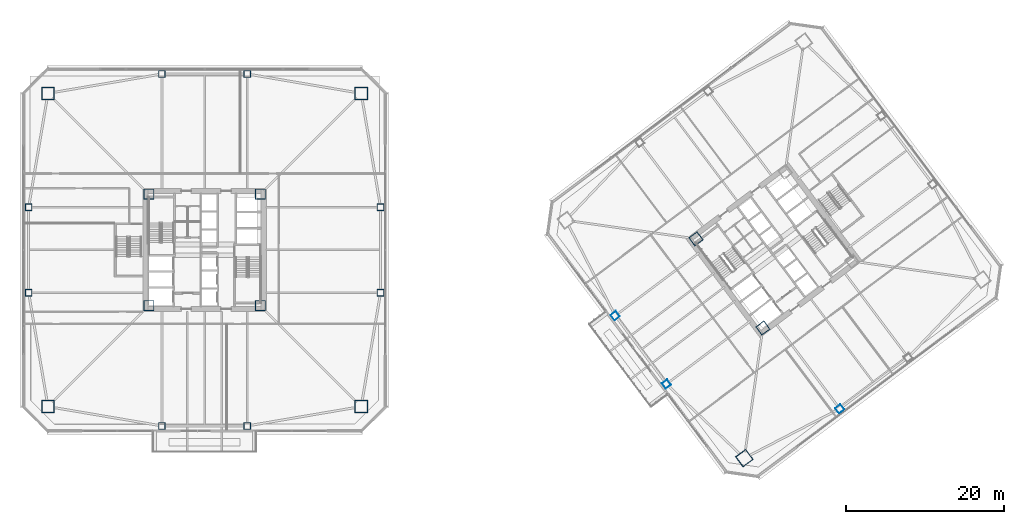
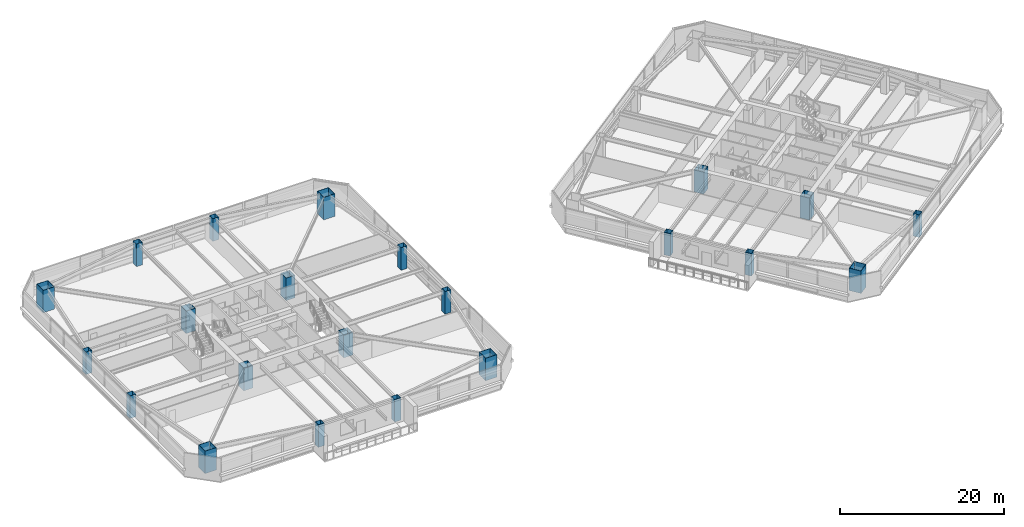
# One storey, part 1 of 46: 22 columns.
"""IFC4 building model written with IfcOpenShell, lengths in metres."""

from ifc_helpers import new_model, si_unit, direction, frame, origin, origin_2d, place, context, subcontext, project, spatial, hollow_rectangle, extrude, material, material_profile, profile_set, type_object, element, save


model = new_model("IFC4")

# Units and contexts
model_context = context("Model", 3, precision=1e-05, world=origin(), true_north=direction((0.0, 1.0)))
body_context = subcontext(model_context, "Body", "Model", "MODEL_VIEW")
ifc_project = project(units=[si_unit("LENGTHUNIT", "METRE"), si_unit("AREAUNIT", "SQUARE_METRE"), si_unit("VOLUMEUNIT", "CUBIC_METRE"), si_unit("PLANEANGLEUNIT", "RADIAN"), si_unit("MASSUNIT", "GRAM", prefix="KILO")], contexts=[model_context])

# Site, building, storey
site_placement = place(None, origin())
site = spatial("IfcSite", under=ifc_project, at=site_placement, CompositionType="ELEMENT")
building_placement = place(site_placement, origin())
building = spatial("IfcBuilding", under=site, at=building_placement, Name="Tashvorn Skyway Center", CompositionType="ELEMENT")
storey_placement = place(building_placement, frame((0.0, 0.0, 60.10009765625)))
storey = spatial("IfcBuildingStorey", under=building, at=storey_placement, Name="L15", CompositionType="ELEMENT", Elevation=60.10009765625)

# Columns
ifc_material = material(Name="Steel ASTM A572 Grade 50", Category="steel")
ifc_material_profile_1 = material_profile(ifc_material, hollow_rectangle(XDim=1.300048828125, YDim=1.300048828125, WallThickness=0.050048828125, at=origin_2d()), Name="BOX1300x1300x50")
ifc_profile_set_1 = profile_set([ifc_material_profile_1], Name="Steel ASTM A572 Grade 50")
column_type_1 = type_object("IfcColumnType", Name="COL-BOX1300x1300x50", PredefinedType="COLUMN", material=ifc_profile_set_1)
for number, where, z_axis, x_axis, name in (
    (1, (34.949951171875, 24.949951171875, 0.0), (0.0, 0.0, 1.0), (1.0, 0.0, 0.0), "Tower 1 L15 Core Corner Column CC-SW"),
    (2, (49.050048828125, 24.949951171875, 0.0), (0.0, 0.0, 1.0), (1.0, 0.0, 0.0), "Tower 1 L15 Core Corner Column CC-SE"),
    (3, (49.050048828125, 39.050048828125, 0.0), (0.0, 0.0, 1.0), (1.0, 0.0, 0.0), "Tower 1 L15 Core Corner Column CC-NE"),
    (4, (34.949951171875, 39.050048828125, 0.0), (0.0, 0.0, 1.0), (1.0, 0.0, 0.0), "Tower 1 L15 Core Corner Column CC-NW"),
    (5, (112.590087890625, 22.1298828125, 0.0), (0.0, 0.0, 1.0), (0.799999996291, 0.600000004945, 0.0), "Tower 2 L15 Core Corner Column CC-SW"),
    (6, (104.1298828125, 33.409912109375, 0.0), (0.0, 0.0, 1.0), (0.799999996291, 0.600000004945, 0.0), "Tower 2 L15 Core Corner Column CC-NW"),
):
    element("IfcColumn", number, at=place(storey_placement, frame(where, z_axis=z_axis, x_axis=x_axis)), inside=storey, type_object=column_type_1, Name=name, PredefinedType="COLUMN", context=body_context, shape_type="SweptSolid", body=[
        extrude(hollow_rectangle(XDim=1.300048828125, YDim=1.300048828125, WallThickness=0.050048828125, at=origin_2d()), origin(), (0.0, 0.0, 1.0), 3.349853515625),
    ])
ifc_material_profile_2 = material_profile(ifc_material, hollow_rectangle(XDim=1.60009765625, YDim=1.60009765625, WallThickness=0.06005859375, at=origin_2d()), Name="BOX1600x1600x60")
ifc_profile_set_2 = profile_set([ifc_material_profile_2], Name="Steel ASTM A572 Grade 50")
column_type_2 = type_object("IfcColumnType", Name="COL-BOX1600x1600x60", PredefinedType="COLUMN", material=ifc_profile_set_2)
for number, where, z_axis, x_axis, name in (
    (7, (22.199951171875, 12.199951171875, 0.0), (0.0, 0.0, 1.0), (1.0, 0.0, 0.0), "Tower 1 L15 Mega-Column MC-SW"),
    (8, (61.800048828125, 12.199951171875, 0.0), (0.0, 0.0, 1.0), (1.0, 0.0, 0.0), "Tower 1 L15 Mega-Column MC-SE"),
    (9, (61.800048828125, 51.800048828125, 0.0), (0.0, 0.0, 1.0), (1.0, 0.0, 0.0), "Tower 1 L15 Mega-Column MC-NE"),
    (10, (22.199951171875, 51.800048828125, 0.0), (0.0, 0.0, 1.0), (1.0, 0.0, 0.0), "Tower 1 L15 Mega-Column MC-NW"),
    (11, (110.239990234375, 5.679931640625, 0.0), (0.0, 0.0, 1.0), (0.799999996291, 0.600000004945, 0.0), "Tower 2 L15 Mega-Column MC-SW"),
):
    element("IfcColumn", number, at=place(storey_placement, frame(where, z_axis=z_axis, x_axis=x_axis)), inside=storey, type_object=column_type_2, Name=name, PredefinedType="COLUMN", context=body_context, shape_type="SweptSolid", body=[
        extrude(hollow_rectangle(XDim=1.60009765625, YDim=1.60009765625, WallThickness=0.06005859375, at=origin_2d()), origin(), (0.0, 0.0, 1.0), 3.349853515625),
    ])
ifc_material_profile_3 = material_profile(ifc_material, hollow_rectangle(XDim=0.85009765625, YDim=0.85009765625, WallThickness=0.034912109375, at=origin_2d()), Name="BOX850x850x35")
ifc_profile_set_3 = profile_set([ifc_material_profile_3], Name="Steel ASTM A572 Grade 50")
column_type_3 = type_object("IfcColumnType", Name="COL-BOX850x850x35", PredefinedType="COLUMN", material=ifc_profile_set_3)
for number, where, z_axis, x_axis, name in (
    (12, (36.60009765625, 9.75, 0.0), (0.0, 0.0, 1.0), (1.0, 0.0, 0.0), "Tower 1 L15 Perimeter Column FC-S1"),
    (13, (47.39990234375, 9.75, 0.0), (0.0, 0.0, 1.0), (1.0, 0.0, 0.0), "Tower 1 L15 Perimeter Column FC-S2"),
    (14, (64.25, 26.60009765625, 0.0), (0.0, 0.0, 1.0), (1.0, 0.0, 0.0), "Tower 1 L15 Perimeter Column FC-E1"),
    (15, (64.25, 37.39990234375, 0.0), (0.0, 0.0, 1.0), (1.0, 0.0, 0.0), "Tower 1 L15 Perimeter Column FC-E2"),
    (16, (47.39990234375, 54.25, 0.0), (0.0, 0.0, 1.0), (1.0, 0.0, 0.0), "Tower 1 L15 Perimeter Column FC-N1"),
    (17, (36.60009765625, 54.25, 0.0), (0.0, 0.0, 1.0), (1.0, 0.0, 0.0), "Tower 1 L15 Perimeter Column FC-N2"),
    (18, (19.75, 37.39990234375, 0.0), (0.0, 0.0, 1.0), (1.0, 0.0, 0.0), "Tower 1 L15 Perimeter Column FC-W1"),
    (19, (19.75, 26.60009765625, 0.0), (0.0, 0.0, 1.0), (1.0, 0.0, 0.0), "Tower 1 L15 Perimeter Column FC-W2"),
    (20, (122.31005859375, 11.919921875, 0.0), (0.0, 0.0, 1.0), (0.799999996291, 0.600000004945, 0.0), "Tower 2 L15 Perimeter Column FC-S1"),
    (21, (93.919921875, 23.68994140625, 0.0), (0.0, 0.0, 1.0), (0.799999996291, 0.600000004945, 0.0), "Tower 2 L15 Perimeter Column FC-W1"),
    (22, (100.39990234375, 15.050048828125, 0.0), (0.0, 0.0, 1.0), (0.799999996291, 0.600000004945, 0.0), "Tower 2 L15 Perimeter Column FC-W2"),
):
    element("IfcColumn", number, at=place(storey_placement, frame(where, z_axis=z_axis, x_axis=x_axis)), inside=storey, type_object=column_type_3, Name=name, PredefinedType="COLUMN", context=body_context, shape_type="SweptSolid", body=[
        extrude(hollow_rectangle(XDim=0.85009765625, YDim=0.85009765625, WallThickness=0.034912109375, at=origin_2d()), origin(), (0.0, 0.0, 1.0), 3.349853515625),
    ])

save(model, "model.ifc")
